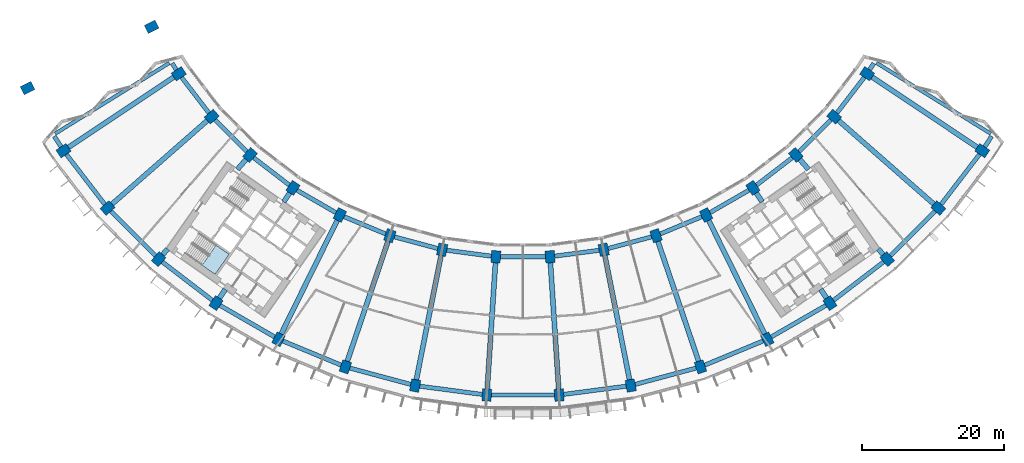
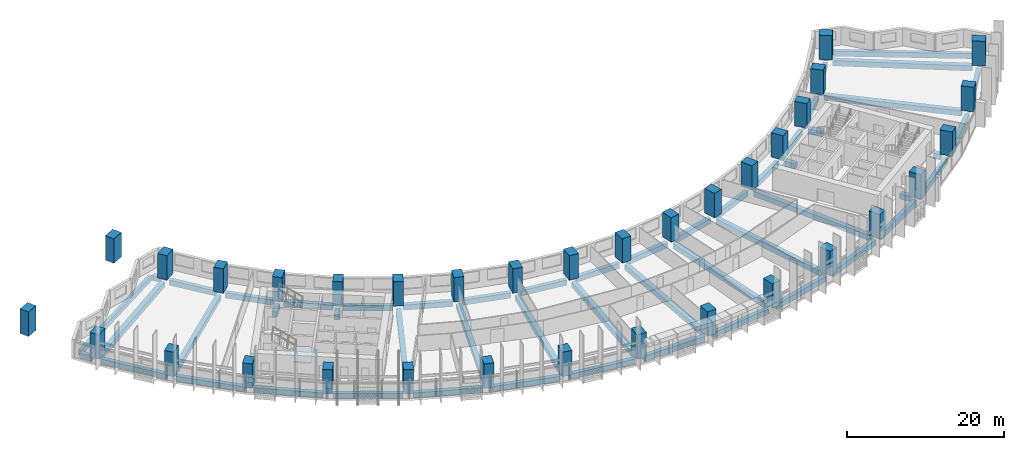
# One storey, part 1 of 32: 56 beams, 34 columns, 1 slab, 1 element without a shape of its own.
"""IFC4 building model written with IfcOpenShell, lengths in metres."""

import ifcopenshell
import ifcopenshell.guid

model = None  # the IFC model being written
_history = None  # IfcOwnerHistory: only IFC2X3 demands one
_inside = {}  # id of a spatial element -> (the spatial element, [elements in it])
_under = {}  # id of a project, library or spatial element -> (it, [spatial elements below it])
_declared = {}  # id of a project -> (the project, [libraries it declares])
_typed = {}  # id of a type object -> (the type object, [elements of that type])
_made_of = {}  # id of a material, layer set ... -> (it, [elements and type objects made of it])


def new_model(schema):
    """Start an empty IFC model of exactly this schema.

    Asked for "IFC4X3", IfcOpenShell would pick the latest addendum, in which some entities
    have other attributes; the version numbers below select the first issue.
    IFC2X3 requires an IfcOwnerHistory on every rooted entity: one is made here for all.
    """
    global model, _history
    if schema == "IFC4X3":
        model = ifcopenshell.file(schema_version=(4, 3, 0, 0))
    else:
        model = ifcopenshell.file(schema=schema)
    _inside.clear()
    _under.clear()
    _declared.clear()
    _typed.clear()
    _made_of.clear()
    _history = None
    if model.schema == "IFC2X3":
        org = make("IfcOrganization", Name="unknown")
        user = make(
            "IfcPersonAndOrganization",
            ThePerson=make("IfcPerson", FamilyName="unknown"),
            TheOrganization=org,
        )
        app = make(
            "IfcApplication",
            ApplicationDeveloper=org,
            Version="unknown",
            ApplicationFullName="unknown",
            ApplicationIdentifier="unknown",
        )
        _history = make(
            "IfcOwnerHistory",
            OwningUser=user,
            OwningApplication=app,
            ChangeAction="ADDED",
            CreationDate=0,
        )
    return model


def make(cls, **values):
    """One entity of the class cls with the attributes given. An attribute that is None is left unset."""
    return model.create_entity(
        cls, **{name: value for name, value in values.items() if value is not None}
    )


def rooted(cls, **values):
    """An entity with a GlobalId (a new one), such as an element, a storey or a relation."""
    return make(cls, GlobalId=ifcopenshell.guid.new(), OwnerHistory=_history, **values)


def si_unit(unit_type, name, prefix=None):
    """IfcSIUnit, for example si_unit("LENGTHUNIT", "METRE", prefix="MILLI")."""
    return make("IfcSIUnit", UnitType=unit_type, Prefix=prefix, Name=name)


def assignment(units):
    """IfcUnitAssignment: the units of a project."""
    return None if units is None else make("IfcUnitAssignment", Units=units)


def point(xyz):
    """IfcCartesianPoint."""
    return None if xyz is None else make("IfcCartesianPoint", Coordinates=xyz)


def direction(xyz):
    """IfcDirection."""
    return None if xyz is None else make("IfcDirection", DirectionRatios=xyz)


def frame(location, z_axis=None, x_axis=None):
    """IfcAxis2Placement3D, a coordinate frame: its origin and axes. An axis left out is left unset."""
    return make(
        "IfcAxis2Placement3D",
        Location=point(location),
        Axis=direction(z_axis),
        RefDirection=direction(x_axis),
    )


def frame_2d(location, x_axis=None):
    """IfcAxis2Placement2D, a coordinate frame in the plane: its origin and x axis."""
    return make(
        "IfcAxis2Placement2D", Location=point(location), RefDirection=direction(x_axis)
    )


def origin():
    """The frame at (0, 0, 0) with its axes left unset."""
    return frame((0.0, 0.0, 0.0))


def origin_2d():
    """The frame at (0, 0) in the plane with its x axis left unset."""
    return frame_2d((0.0, 0.0))


def place(relative_to, where):
    """IfcLocalPlacement: puts the frame where relative to a parent placement (None: the world)."""
    return make(
        "IfcLocalPlacement", PlacementRelTo=relative_to, RelativePlacement=where
    )


def context(
    kind, dimensions, precision=None, world=None, true_north=None, identifier=None
):
    """IfcGeometricRepresentationContext, for example the 3D "Model" context."""
    return make(
        "IfcGeometricRepresentationContext",
        ContextIdentifier=identifier,
        ContextType=kind,
        CoordinateSpaceDimension=dimensions,
        Precision=precision,
        WorldCoordinateSystem=world,
        TrueNorth=true_north,
    )


def subcontext(parent, identifier, kind, view, scale=None):
    """IfcGeometricRepresentationSubContext, for example "Body" below "Model"."""
    return make(
        "IfcGeometricRepresentationSubContext",
        ContextIdentifier=identifier,
        ContextType=kind,
        ParentContext=parent,
        TargetScale=scale,
        TargetView=view,
    )


def project(units=None, contexts=None):
    """IfcProject with its units and contexts."""
    return rooted(
        "IfcProject",
        Name="project",
        RepresentationContexts=contexts,
        UnitsInContext=assignment(units),
    )


def spatial(cls, under=None, at=None, **own):
    """A site, building, storey or space (cls), placed at a placement, below another one or the project."""
    s = rooted(cls, ObjectPlacement=at, **own)
    if under is not None:
        _under.setdefault(under.id(), (under, []))[1].append(s)
    return s


def polyline(points):
    """IfcPolyline through the points."""
    return make("IfcPolyline", Points=[point(p) for p in points])


def profile(cls, at=None, kind="AREA", **sizes):
    """A parametric profile (cls). Its sizes go by their IFC names, for example OverallWidth=200.0."""
    return make(cls, ProfileType=kind, Position=at, **sizes)


def rectangle(**sizes):
    """IfcRectangleProfileDef."""
    return profile("IfcRectangleProfileDef", **sizes)


def outline(outer, holes=None, kind="AREA"):
    """IfcArbitraryClosedProfileDef: a profile drawn as a closed curve; with holes, ...WithVoids."""
    if holes is None:
        return make("IfcArbitraryClosedProfileDef", ProfileType=kind, OuterCurve=outer)
    return make(
        "IfcArbitraryProfileDefWithVoids",
        ProfileType=kind,
        OuterCurve=outer,
        InnerCurves=holes,
    )


def extrude(swept, where, along, depth):
    """IfcExtrudedAreaSolid: the profile swept, set in the frame where, extruded along a direction by depth."""
    return make(
        "IfcExtrudedAreaSolid",
        SweptArea=swept,
        Position=where,
        ExtrudedDirection=direction(along),
        Depth=depth,
    )


def shape(context_of_items, identifier, shape_type, items):
    """IfcShapeRepresentation: the items that make up one representation, for example the "Body"."""
    return make(
        "IfcShapeRepresentation",
        ContextOfItems=context_of_items,
        RepresentationIdentifier=identifier,
        RepresentationType=shape_type,
        Items=items,
    )


def material(Name=None, Category=None):
    """IfcMaterial."""
    return make("IfcMaterial", Name=Name, Category=Category)


def layer(
    of_material, thickness, ventilated=None, Name=None, Category=None, Priority=None
):
    """IfcMaterialLayer: one layer of a wall or slab, of a material (None: an air gap)."""
    return make(
        "IfcMaterialLayer",
        Material=of_material,
        LayerThickness=thickness,
        IsVentilated=ventilated,
        Name=Name,
        Category=Category,
        Priority=Priority,
    )


def layer_set(layers, Name=None):
    """IfcMaterialLayerSet."""
    return make("IfcMaterialLayerSet", MaterialLayers=layers, LayerSetName=Name)


def material_profile(
    of_material, cross_section, Name=None, Category=None, Priority=None
):
    """IfcMaterialProfile: a cross section and its material."""
    return make(
        "IfcMaterialProfile",
        Name=Name,
        Material=of_material,
        Profile=cross_section,
        Priority=Priority,
        Category=Category,
    )


def profile_set(profiles, Name=None, composite=None):
    """IfcMaterialProfileSet."""
    return make(
        "IfcMaterialProfileSet",
        Name=Name,
        MaterialProfiles=profiles,
        CompositeProfile=composite,
    )


def made_of(thing, what):
    """Note that an element or type object is made of a material, layer set ...; save() writes the relation."""
    if what is not None:
        _made_of.setdefault(what.id(), (what, []))[1].append(thing)
    return thing


def type_object(cls, material=None, **own):
    """A type object (cls), such as IfcWallType, which elements share."""
    return made_of(rooted(cls, **own), material)


def element(
    cls,
    number,
    at=None,
    inside=None,
    cuts=None,
    type_object=None,
    material=None,
    context=None,
    identifier="Body",
    shape_type=None,
    held_by="IfcProductDefinitionShape",
    body=None,
    shapes=None,
    **own,
):
    """One element of the class cls, such as IfcWall. Its Tag is "e" and its number.

    at: its placement. inside: the storey or other place that contains it. cuts: it is an
    opening in that element (IfcRelVoidsElement). A single representation is given by context,
    identifier, shape_type and body (its items); several are given by shapes. held_by: the class
    of the entity that holds the representations. save() writes the other relations.
    """
    e = rooted(cls, Tag="e%d" % number, ObjectPlacement=at, **own)
    if body is not None:
        shapes = [shape(context, identifier, shape_type, body)]
    if shapes is not None:
        e.Representation = make(held_by, Representations=shapes)
    if inside is not None:
        _inside.setdefault(inside.id(), (inside, []))[1].append(e)
    if cuts is not None:
        rooted(
            "IfcRelVoidsElement", RelatingBuildingElement=cuts, RelatedOpeningElement=e
        )
    if type_object is not None:
        _typed.setdefault(type_object.id(), (type_object, []))[1].append(e)
    return made_of(e, material)


def aggregate(whole, parts):
    """IfcRelAggregates: a whole, such as a stair, and the parts it consists of."""
    return rooted("IfcRelAggregates", RelatingObject=whole, RelatedObjects=parts)


def save(model, path):
    """Write the relations noted so far, then the file.

    IfcRelAggregates (storeys below a building ...), IfcRelContainedInSpatialStructure (elements
    in a storey), IfcRelDefinesByType, IfcRelAssociatesMaterial and IfcRelDeclares: one each for
    every whole, place, type object, material and project.
    """
    for whole, parts in _under.values():
        aggregate(whole, parts)
    for where, things in _inside.values():
        rooted(
            "IfcRelContainedInSpatialStructure",
            RelatedElements=things,
            RelatingStructure=where,
        )
    for kind, things in _typed.values():
        rooted("IfcRelDefinesByType", RelatedObjects=things, RelatingType=kind)
    for what, things in _made_of.values():
        rooted("IfcRelAssociatesMaterial", RelatedObjects=things, RelatingMaterial=what)
    for by, libraries in _declared.values():
        rooted("IfcRelDeclares", RelatingContext=by, RelatedDefinitions=libraries)
    model.write(path)


model = new_model("IFC4")

# Units and contexts
model_context = context("Model", 3, precision=1e-05, world=origin(), true_north=direction((0.0, 1.0)))
body_context = subcontext(model_context, "Body", "Model", "MODEL_VIEW")
ifc_project = project(units=[si_unit("LENGTHUNIT", "METRE"), si_unit("AREAUNIT", "SQUARE_METRE"), si_unit("VOLUMEUNIT", "CUBIC_METRE"), si_unit("PLANEANGLEUNIT", "RADIAN"), si_unit("MASSUNIT", "GRAM", prefix="KILO")], contexts=[model_context])

# Site, building, storey
site_placement = place(None, origin())
site = spatial("IfcSite", under=ifc_project, at=site_placement, CompositionType="ELEMENT")
building_placement = place(site_placement, origin())
building = spatial("IfcBuilding", under=site, at=building_placement, Name="Qamariyya Broadcast Tower", CompositionType="ELEMENT")
storey_placement = place(building_placement, frame((0.0, 0.0, 63.300048828125)))
storey = spatial("IfcBuildingStorey", under=building, at=storey_placement, Name="L12", CompositionType="ELEMENT", Elevation=63.300048828125)

# Columns
ifc_material_1 = material(Name="Concrete C70/85", Category="concrete")
ifc_material_profile_1 = material_profile(ifc_material_1, rectangle(XDim=1.300048828125, YDim=1.699951171875, at=origin_2d()))
ifc_profile_set_1 = profile_set([ifc_material_profile_1], Name="Concrete C70/85")
column_type = type_object("IfcColumnType", Name="RC column 1300 x 1700 C70/85", PredefinedType="COLUMN", material=ifc_profile_set_1)
for number, where, z_axis, x_axis, name in (
    (1, (-48.43310546875, -32.362060546875, 0.0), (0.0, 0.0, 1.0), (0.55557023302, -0.831469612303, 0.0), "Column C5 L12 B-R03"),
    (2, (-64.646728515625, -43.195556640625, 0.0), (0.0, 0.0, 1.0), (0.55557023302, -0.831469612303, 0.0), "Column C5 L12 C-R03"),
    (3, (-43.794677734375, -38.406982421875, 0.0), (0.0, 0.0, 1.0), (0.6593458151, -0.751839807479, 0.0), "Column C5 L12 B-R04"),
    (4, (-58.45556640625, -51.26416015625, 0.0), (0.0, 0.0, 1.0), (0.6593458151, -0.751839807479, 0.0), "Column C5 L12 C-R04"),
    (5, (-38.406982421875, -43.794677734375, 0.0), (0.0, 0.0, 1.0), (0.751839807479, -0.6593458151, 0.0), "Column C5 L12 B-R05"),
    (6, (-51.26416015625, -58.45556640625, 0.0), (0.0, 0.0, 1.0), (0.751839807479, -0.6593458151, 0.0), "Column C5 L12 C-R05"),
    (7, (-32.362060546875, -48.43310546875, 0.0), (0.0, 0.0, 1.0), (0.831469612303, -0.55557023302, 0.0), "Column C5 L12 B-R06"),
    (8, (-43.195556640625, -64.646728515625, 0.0), (0.0, 0.0, 1.0), (0.831469612303, -0.55557023302, 0.0), "Column C5 L12 C-R06"),
    (9, (-25.763427734375, -52.242919921875, 0.0), (0.0, 0.0, 1.0), (0.896872741533, -0.442288690219, 0.0), "Column C5 L12 B-R07"),
    (10, (-34.387939453125, -69.73193359375, 0.0), (0.0, 0.0, 1.0), (0.896872741533, -0.442288690219, 0.0), "Column C5 L12 C-R07"),
    (11, (-18.723876953125, -55.15869140625, 0.0), (0.0, 0.0, 1.0), (0.946930129495, -0.321439465303, 0.0), "Column C5 L12 B-R08"),
    (12, (-24.991943359375, -73.623779296875, 0.0), (0.0, 0.0, 1.0), (0.946930129495, -0.321439465303, 0.0), "Column C5 L12 C-R08"),
    (13, (-11.364013671875, -57.130859375, 0.0), (0.0, 0.0, 1.0), (0.980785280403, -0.195090322016, 0.0), "Column C5 L12 B-R09"),
    (14, (-15.168212890625, -76.256103515625, 0.0), (0.0, 0.0, 1.0), (0.980785280403, -0.195090322016, 0.0), "Column C5 L12 C-R09"),
    (15, (-3.809814453125, -58.125244140625, 0.0), (0.0, 0.0, 1.0), (0.997858923239, -0.06540312923, 0.0), "Column C5 L12 B-R10"),
    (16, (-5.085205078125, -77.58349609375, 0.0), (0.0, 0.0, 1.0), (0.997858923239, -0.06540312923, 0.0), "Column C5 L12 C-R10"),
    (17, (3.809814453125, -58.125244140625, 0.0), (0.0, 0.0, 1.0), (0.997858923239, 0.06540312923, 0.0), "Column C5 L12 B-R11"),
    (18, (5.085205078125, -77.58349609375, 0.0), (0.0, 0.0, 1.0), (0.997858923239, 0.06540312923, 0.0), "Column C5 L12 C-R11"),
    (19, (11.364013671875, -57.130859375, 0.0), (0.0, 0.0, 1.0), (0.980785280403, 0.195090322016, 0.0), "Column C5 L12 B-R12"),
    (20, (15.168212890625, -76.256103515625, 0.0), (0.0, 0.0, 1.0), (0.980785280403, 0.195090322016, 0.0), "Column C5 L12 C-R12"),
    (21, (18.723876953125, -55.15869140625, 0.0), (0.0, 0.0, 1.0), (0.946930129495, 0.321439465303, 0.0), "Column C5 L12 B-R13"),
    (22, (24.991943359375, -73.623779296875, 0.0), (0.0, 0.0, 1.0), (0.946930129495, 0.321439465303, 0.0), "Column C5 L12 C-R13"),
    (23, (25.763427734375, -52.242919921875, 0.0), (0.0, 0.0, 1.0), (0.896872741533, 0.442288690219, 0.0), "Column C5 L12 B-R14"),
    (24, (34.387939453125, -69.73193359375, 0.0), (0.0, 0.0, 1.0), (0.896872741533, 0.442288690219, 0.0), "Column C5 L12 C-R14"),
    (25, (32.362060546875, -48.43310546875, 0.0), (0.0, 0.0, 1.0), (0.831469612303, 0.55557023302, 0.0), "Column C5 L12 B-R15"),
    (26, (43.195556640625, -64.646728515625, 0.0), (0.0, 0.0, 1.0), (0.831469612303, 0.55557023302, 0.0), "Column C5 L12 C-R15"),
    (27, (38.406982421875, -43.794677734375, 0.0), (0.0, 0.0, 1.0), (0.751839807479, 0.6593458151, 0.0), "Column C5 L12 B-R16"),
    (28, (51.26416015625, -58.45556640625, 0.0), (0.0, 0.0, 1.0), (0.751839807479, 0.6593458151, 0.0), "Column C5 L12 C-R16"),
    (29, (43.794677734375, -38.406982421875, 0.0), (0.0, 0.0, 1.0), (0.6593458151, 0.751839807479, 0.0), "Column C5 L12 B-R17"),
    (30, (58.45556640625, -51.26416015625, 0.0), (0.0, 0.0, 1.0), (0.6593458151, 0.751839807479, 0.0), "Column C5 L12 C-R17"),
    (31, (48.43310546875, -32.362060546875, 0.0), (0.0, 0.0, 1.0), (0.55557023302, 0.831469612303, 0.0), "Column C5 L12 B-R18"),
    (32, (64.646728515625, -43.195556640625, 0.0), (0.0, 0.0, 1.0), (0.55557023302, 0.831469612303, 0.0), "Column C5 L12 C-R18"),
    (33, (-52.242919921875, -25.763427734375, 0.0), (0.0, 0.0, 1.0), (0.442288690219, -0.896872741533, 0.0), "Column C5 L12 B-R02"),
    (34, (-69.73193359375, -34.387939453125, 0.0), (0.0, 0.0, 1.0), (0.442288690219, -0.896872741533, 0.0), "Column C5 L12 C-R02"),
):
    element("IfcColumn", number, at=place(storey_placement, frame(where, z_axis=z_axis, x_axis=x_axis)), inside=storey, type_object=column_type, Name=name, PredefinedType="COLUMN", context=body_context, shape_type="SweptSolid", body=[
        extrude(rectangle(XDim=1.300048828125, YDim=1.699951171875, at=origin_2d()), origin(), (0.0, 0.0, 1.0), 3.800048828125),
    ])

# Beams
ifc_material_2 = material(Name="Concrete C50/60", Category="concrete")
ifc_material_profile_2 = material_profile(ifc_material_2, rectangle(XDim=0.60009765625, YDim=0.800048828125, at=origin_2d()))
ifc_profile_set_2 = profile_set([ifc_material_profile_2], Name="Concrete C50/60")
beam_type_1 = type_object("IfcBeamType", Name="RC edge beam 600 x 800 C50/60", PredefinedType="SPANDREL", material=ifc_profile_set_2)
beam_1_placement = place(storey_placement, frame((-48.03662109375, -32.878662109375, -0.699951171875), z_axis=(0.608763348773, -0.7933518672, 0.0), x_axis=(0.7933518672, 0.608763348773, 0.0)))
element("IfcBeam", 35, at=beam_1_placement, inside=storey, type_object=beam_type_1, Name="Edge beam B6 L12 B R03-R04", PredefinedType="SPANDREL", context=body_context, shape_type="SweptSolid", body=[
    extrude(rectangle(XDim=0.60009765625, YDim=0.800048828125, at=origin_2d()), origin(), (0.0, 0.0, 1.0), 6.31689453125),
])
beam_2_placement = place(storey_placement, frame((-43.333984375, -38.867431640625, -0.699951171875), z_axis=(0.707106781187, -0.707106781187, 0.0), x_axis=(0.707106781187, 0.707106781187, 0.0)))
element("IfcBeam", 36, at=beam_2_placement, inside=storey, type_object=beam_type_1, Name="Edge beam B6 L12 B R04-R05", PredefinedType="SPANDREL", context=body_context, shape_type="SweptSolid", body=[
    extrude(rectangle(XDim=0.60009765625, YDim=0.800048828125, at=origin_2d()), origin(), (0.0, 0.0, 1.0), 6.316650390625),
])
for number, where, z_axis, x_axis, name in (
    (37, (-37.89013671875, -44.191162109375, -0.699951171875), (0.7933518672, -0.608763348773, 0.0), (0.608763348773, 0.7933518672, 0.0), "Edge beam B6 L12 B R05-R06"),
    (38, (-31.7978515625, -48.7587890625, -0.699951171875), (0.866020173512, -0.500009058987, 0.0), (0.500009058987, 0.866020173512, 0.0), "Edge beam B6 L12 B R06-R07"),
):
    element("IfcBeam", number, at=place(storey_placement, frame(where, z_axis=z_axis, x_axis=x_axis)), inside=storey, type_object=beam_type_1, Name=name, PredefinedType="SPANDREL", context=body_context, shape_type="SweptSolid", body=[
        extrude(rectangle(XDim=0.60009765625, YDim=0.800048828125, at=origin_2d()), origin(), (0.0, 0.0, 1.0), 6.31689453125),
    ])
for number, where, z_axis, x_axis, name in (
    (39, (-25.16162109375, -52.4921875, -0.699951171875), (0.923884465345, -0.382671523234, 0.0), (0.382671523234, 0.923884465345, 0.0), "Edge beam B6 L12 B R07-R08"),
    (40, (-18.0947265625, -55.327392578125, -0.699951171875), (0.965931490327, -0.258797905699, 0.0), (0.258797905699, 0.965931490327, 0.0), "Edge beam B6 L12 B R08-R09"),
    (41, (-10.71826171875, -57.2158203125, -0.699951171875), (0.991445610946, -0.130520498525, 0.0), (0.130520498525, 0.991445610946, 0.0), "Edge beam B6 L12 B R09-R10"),
):
    element("IfcBeam", number, at=place(storey_placement, frame(where, z_axis=z_axis, x_axis=x_axis)), inside=storey, type_object=beam_type_1, Name=name, PredefinedType="SPANDREL", context=body_context, shape_type="SweptSolid", body=[
        extrude(rectangle(XDim=0.60009765625, YDim=0.800048828125, at=origin_2d()), origin(), (0.0, 0.0, 1.0), 6.316650390625),
    ])
beam_3_placement = place(storey_placement, frame((-3.158447265625, -58.125244140625, -0.699951171875), z_axis=(1.0, 0.0, 0.0), x_axis=(0.0, 1.0, 0.0)))
element("IfcBeam", 42, at=beam_3_placement, inside=storey, type_object=beam_type_1, Name="Edge beam B6 L12 B R10-R11", PredefinedType="SPANDREL", context=body_context, shape_type="SweptSolid", body=[
    extrude(rectangle(XDim=0.60009765625, YDim=0.800048828125, at=origin_2d()), origin(), (0.0, 0.0, 1.0), 6.31689453125),
])
for number, where, z_axis, x_axis, name in (
    (43, (4.45556640625, -58.040283203125, -0.699951171875), (0.991445610946, 0.130520498525, 0.0), (-0.130520498525, 0.991445610946, 0.0), "Edge beam B6 L12 B R11-R12"),
    (44, (11.9931640625, -56.962158203125, -0.699951171875), (0.965931490327, 0.258797905699, 0.0), (-0.258797905699, 0.965931490327, 0.0), "Edge beam B6 L12 B R12-R13"),
    (45, (19.32568359375, -54.909423828125, -0.699951171875), (0.923884465345, 0.382671523234, 0.0), (-0.382671523234, 0.923884465345, 0.0), "Edge beam B6 L12 B R13-R14"),
):
    element("IfcBeam", number, at=place(storey_placement, frame(where, z_axis=z_axis, x_axis=x_axis)), inside=storey, type_object=beam_type_1, Name=name, PredefinedType="SPANDREL", context=body_context, shape_type="SweptSolid", body=[
        extrude(rectangle(XDim=0.60009765625, YDim=0.800048828125, at=origin_2d()), origin(), (0.0, 0.0, 1.0), 6.316650390625),
    ])
for number, where, z_axis, x_axis, name in (
    (46, (26.327392578125, -51.917236328125, -0.699951171875), (0.866020173512, 0.500009058987, 0.0), (-0.500009058987, 0.866020173512, 0.0), "Edge beam B6 L12 B R14-R15"),
    (47, (32.878662109375, -48.03662109375, -0.699951171875), (0.7933518672, 0.608763348773, 0.0), (-0.608763348773, 0.7933518672, 0.0), "Edge beam B6 L12 B R15-R16"),
):
    element("IfcBeam", number, at=place(storey_placement, frame(where, z_axis=z_axis, x_axis=x_axis)), inside=storey, type_object=beam_type_1, Name=name, PredefinedType="SPANDREL", context=body_context, shape_type="SweptSolid", body=[
        extrude(rectangle(XDim=0.60009765625, YDim=0.800048828125, at=origin_2d()), origin(), (0.0, 0.0, 1.0), 6.31689453125),
    ])
beam_4_placement = place(storey_placement, frame((38.867431640625, -43.333984375, -0.699951171875), z_axis=(0.707106781187, 0.707106781187, 0.0), x_axis=(-0.707106781187, 0.707106781187, 0.0)))
element("IfcBeam", 48, at=beam_4_placement, inside=storey, type_object=beam_type_1, Name="Edge beam B6 L12 B R16-R17", PredefinedType="SPANDREL", context=body_context, shape_type="SweptSolid", body=[
    extrude(rectangle(XDim=0.60009765625, YDim=0.800048828125, at=origin_2d()), origin(), (0.0, 0.0, 1.0), 6.316650390625),
])
beam_5_placement = place(storey_placement, frame((44.191162109375, -37.89013671875, -0.699951171875), z_axis=(0.608763348773, 0.7933518672, 0.0), x_axis=(-0.7933518672, 0.608763348773, 0.0)))
element("IfcBeam", 49, at=beam_5_placement, inside=storey, type_object=beam_type_1, Name="Edge beam B6 L12 B R17-R18", PredefinedType="SPANDREL", context=body_context, shape_type="SweptSolid", body=[
    extrude(rectangle(XDim=0.60009765625, YDim=0.800048828125, at=origin_2d()), origin(), (0.0, 0.0, 1.0), 6.31689453125),
])
beam_6_placement = place(storey_placement, frame((-64.250244140625, -43.71240234375, -0.699951171875), z_axis=(0.608769622928, -0.793347052809, 0.0), x_axis=(0.793347052809, 0.608769622928, 0.0)))
element("IfcBeam", 50, at=beam_6_placement, inside=storey, type_object=beam_type_1, Name="Edge beam B6 L12 C R03-R04", PredefinedType="SPANDREL", context=body_context, shape_type="SweptSolid", body=[
    extrude(rectangle(XDim=0.60009765625, YDim=0.800048828125, at=origin_2d()), origin(), (0.0, 0.0, 1.0), 8.867431640625),
])
beam_7_placement = place(storey_placement, frame((-57.994873046875, -51.724853515625, -0.699951171875), z_axis=(0.707106781187, -0.707106781187, 0.0), x_axis=(0.707106781187, 0.707106781187, 0.0)))
element("IfcBeam", 51, at=beam_7_placement, inside=storey, type_object=beam_type_1, Name="Edge beam B6 L12 C R04-R05", PredefinedType="SPANDREL", context=body_context, shape_type="SweptSolid", body=[
    extrude(rectangle(XDim=0.60009765625, YDim=0.800048828125, at=origin_2d()), origin(), (0.0, 0.0, 1.0), 8.8671875),
])
beam_8_placement = place(storey_placement, frame((-50.747314453125, -58.85205078125, -0.699951171875), z_axis=(0.793347052809, -0.608769622928, 0.0), x_axis=(0.608769622928, 0.793347052809, 0.0)))
element("IfcBeam", 52, at=beam_8_placement, inside=storey, type_object=beam_type_1, Name="Edge beam B6 L12 C R05-R06", PredefinedType="SPANDREL", context=body_context, shape_type="SweptSolid", body=[
    extrude(rectangle(XDim=0.60009765625, YDim=0.800048828125, at=origin_2d()), origin(), (0.0, 0.0, 1.0), 8.867431640625),
])
beam_9_placement = place(storey_placement, frame((-42.63134765625, -64.972412109375, -0.699951171875), z_axis=(0.866013187848, -0.500021158025, 0.0), x_axis=(0.500021158025, 0.866013187848, 0.0)))
element("IfcBeam", 53, at=beam_9_placement, inside=storey, type_object=beam_type_1, Name="Edge beam B6 L12 C R06-R07", PredefinedType="SPANDREL", context=body_context, shape_type="SweptSolid", body=[
    extrude(rectangle(XDim=0.60009765625, YDim=0.800048828125, at=origin_2d()), origin(), (0.0, 0.0, 1.0), 8.8671875),
])
for number, where, z_axis, x_axis, name in (
    (54, (-33.7861328125, -69.981201171875, -0.699951171875), (0.923882942367, -0.382675200142, 0.0), (0.382675200142, 0.923882942367, 0.0), "Edge beam B6 L12 C R07-R08"),
    (55, (-24.36279296875, -73.79248046875, -0.699951171875), (0.965930847021, -0.258800306749, 0.0), (0.258800306749, 0.965930847021, 0.0), "Edge beam B6 L12 C R08-R09"),
    (56, (-14.5224609375, -76.341064453125, -0.699951171875), (0.991444171706, -0.13053143066, 0.0), (0.13053143066, 0.991444171706, 0.0), "Edge beam B6 L12 C R09-R10"),
):
    element("IfcBeam", number, at=place(storey_placement, frame(where, z_axis=z_axis, x_axis=x_axis)), inside=storey, type_object=beam_type_1, Name=name, PredefinedType="SPANDREL", context=body_context, shape_type="SweptSolid", body=[
        extrude(rectangle(XDim=0.60009765625, YDim=0.800048828125, at=origin_2d()), origin(), (0.0, 0.0, 1.0), 8.867431640625),
    ])
beam_10_placement = place(storey_placement, frame((-4.43359375, -77.58349609375, -0.699951171875), z_axis=(1.0, 0.0, 0.0), x_axis=(0.0, 1.0, 0.0)))
element("IfcBeam", 57, at=beam_10_placement, inside=storey, type_object=beam_type_1, Name="Edge beam B6 L12 C R10-R11", PredefinedType="SPANDREL", context=body_context, shape_type="SweptSolid", body=[
    extrude(rectangle(XDim=0.60009765625, YDim=0.800048828125, at=origin_2d()), origin(), (0.0, 0.0, 1.0), 8.8671875),
])
for number, where, z_axis, x_axis, name in (
    (58, (5.73095703125, -77.49853515625, -0.699951171875), (0.991444171706, 0.13053143066, 0.0), (-0.13053143066, 0.991444171706, 0.0), "Edge beam B6 L12 C R11-R12"),
    (59, (15.79736328125, -76.08740234375, -0.699951171875), (0.965930847021, 0.258800306749, 0.0), (-0.258800306749, 0.965930847021, 0.0), "Edge beam B6 L12 C R12-R13"),
    (60, (25.59375, -73.37451171875, -0.699951171875), (0.923882942367, 0.382675200142, 0.0), (-0.382675200142, 0.923882942367, 0.0), "Edge beam B6 L12 C R13-R14"),
):
    element("IfcBeam", number, at=place(storey_placement, frame(where, z_axis=z_axis, x_axis=x_axis)), inside=storey, type_object=beam_type_1, Name=name, PredefinedType="SPANDREL", context=body_context, shape_type="SweptSolid", body=[
        extrude(rectangle(XDim=0.60009765625, YDim=0.800048828125, at=origin_2d()), origin(), (0.0, 0.0, 1.0), 8.867431640625),
    ])
beam_11_placement = place(storey_placement, frame((34.9521484375, -69.40625, -0.699951171875), z_axis=(0.866013187848, 0.500021158025, 0.0), x_axis=(-0.500021158025, 0.866013187848, 0.0)))
element("IfcBeam", 61, at=beam_11_placement, inside=storey, type_object=beam_type_1, Name="Edge beam B6 L12 C R14-R15", PredefinedType="SPANDREL", context=body_context, shape_type="SweptSolid", body=[
    extrude(rectangle(XDim=0.60009765625, YDim=0.800048828125, at=origin_2d()), origin(), (0.0, 0.0, 1.0), 8.8671875),
])
beam_12_placement = place(storey_placement, frame((43.71240234375, -64.250244140625, -0.699951171875), z_axis=(0.793347052809, 0.608769622928, 0.0), x_axis=(-0.608769622928, 0.793347052809, 0.0)))
element("IfcBeam", 62, at=beam_12_placement, inside=storey, type_object=beam_type_1, Name="Edge beam B6 L12 C R15-R16", PredefinedType="SPANDREL", context=body_context, shape_type="SweptSolid", body=[
    extrude(rectangle(XDim=0.60009765625, YDim=0.800048828125, at=origin_2d()), origin(), (0.0, 0.0, 1.0), 8.867431640625),
])
beam_13_placement = place(storey_placement, frame((51.724853515625, -57.994873046875, -0.699951171875), z_axis=(0.707106781187, 0.707106781187, 0.0), x_axis=(-0.707106781187, 0.707106781187, 0.0)))
element("IfcBeam", 63, at=beam_13_placement, inside=storey, type_object=beam_type_1, Name="Edge beam B6 L12 C R16-R17", PredefinedType="SPANDREL", context=body_context, shape_type="SweptSolid", body=[
    extrude(rectangle(XDim=0.60009765625, YDim=0.800048828125, at=origin_2d()), origin(), (0.0, 0.0, 1.0), 8.8671875),
])
beam_14_placement = place(storey_placement, frame((58.85205078125, -50.747314453125, -0.699951171875), z_axis=(0.608769622928, 0.793347052809, 0.0), x_axis=(-0.793347052809, 0.608769622928, 0.0)))
element("IfcBeam", 64, at=beam_14_placement, inside=storey, type_object=beam_type_1, Name="Edge beam B6 L12 C R17-R18", PredefinedType="SPANDREL", context=body_context, shape_type="SweptSolid", body=[
    extrude(rectangle(XDim=0.60009765625, YDim=0.800048828125, at=origin_2d()), origin(), (0.0, 0.0, 1.0), 8.867431640625),
])
ifc_material_profile_3 = material_profile(ifc_material_2, rectangle(XDim=0.60009765625, YDim=0.800048828125, at=origin_2d()))
ifc_profile_set_3 = profile_set([ifc_material_profile_3], Name="Concrete C50/60")
beam_type_2 = type_object("IfcBeamType", Name="RC horn beam 600 x 800 C50/60", PredefinedType="BEAM", material=ifc_profile_set_3)
beam_15_placement = place(storey_placement, frame((-48.784912109375, -31.8154296875, -0.699951171875), z_axis=(-0.541356930223, 0.840792884187, 0.0), x_axis=(-0.840792884187, -0.541356930223, 0.0)))
element("IfcBeam", 65, at=beam_15_placement, inside=storey, type_object=beam_type_2, Name="Horn beam B7 L12 W B-R03", PredefinedType="BEAM", context=body_context, shape_type="SweptSolid", body=[
    extrude(rectangle(XDim=0.60009765625, YDim=0.800048828125, at=origin_2d()), origin(), (0.0, 0.0, 1.0), 1.0908203125),
])
beam_16_placement = place(storey_placement, frame((-64.99853515625, -42.64892578125, -0.699951171875), z_axis=(-0.541291153775, 0.840835231686, 0.0), x_axis=(-0.840835231686, -0.541291153775, 0.0)))
element("IfcBeam", 66, at=beam_16_placement, inside=storey, type_object=beam_type_2, Name="Horn beam B7 L12 W C-R03", PredefinedType="BEAM", context=body_context, shape_type="SweptSolid", body=[
    extrude(rectangle(XDim=0.60009765625, YDim=0.800048828125, at=origin_2d()), origin(), (0.0, 0.0, 1.0), 1.75732421875),
])
beam_17_placement = place(storey_placement, frame((48.784912109375, -31.8154296875, -0.699951171875), z_axis=(0.541356930223, 0.840792884187, 0.0), x_axis=(-0.840792884187, 0.541356930223, 0.0)))
element("IfcBeam", 67, at=beam_17_placement, inside=storey, type_object=beam_type_2, Name="Horn beam B7 L12 E B-R18", PredefinedType="BEAM", context=body_context, shape_type="SweptSolid", body=[
    extrude(rectangle(XDim=0.60009765625, YDim=0.800048828125, at=origin_2d()), origin(), (0.0, 0.0, 1.0), 1.0908203125),
])
beam_18_placement = place(storey_placement, frame((64.99853515625, -42.64892578125, -0.699951171875), z_axis=(0.541291153775, 0.840835231686, 0.0), x_axis=(-0.840835231686, 0.541291153775, 0.0)))
element("IfcBeam", 68, at=beam_18_placement, inside=storey, type_object=beam_type_2, Name="Horn beam B7 L12 E C-R18", PredefinedType="BEAM", context=body_context, shape_type="SweptSolid", body=[
    extrude(rectangle(XDim=0.60009765625, YDim=0.800048828125, at=origin_2d()), origin(), (0.0, 0.0, 1.0), 1.75732421875),
])
ifc_material_profile_4 = material_profile(ifc_material_2, rectangle(XDim=0.5, YDim=0.800048828125, at=origin_2d()))
ifc_profile_set_4 = profile_set([ifc_material_profile_4], Name="Concrete C50/60")
beam_type_3 = type_object("IfcBeamType", Name="RC horn cap beam 500 x 800 C50/60", PredefinedType="BEAM", material=ifc_profile_set_4)
for number, where, z_axis, x_axis, name in (
    (69, (-49.765625, -30.845947265625, -0.699951171875), (-0.84996632089, -0.526837027318, 0.0), (0.526837027318, -0.84996632089, 0.0), "Horn cap beam B8 L12 W B-C"),
    (70, (49.765625, -30.845947265625, -0.699951171875), (0.84996632089, -0.526837027318, 0.0), (0.526837027318, 0.84996632089, 0.0), "Horn cap beam B8 L12 E B-C"),
):
    element("IfcBeam", number, at=place(storey_placement, frame(where, z_axis=z_axis, x_axis=x_axis)), inside=storey, type_object=beam_type_3, Name=name, PredefinedType="BEAM", context=body_context, shape_type="SweptSolid", body=[
        extrude(rectangle(XDim=0.5, YDim=0.800048828125, at=origin_2d()), origin(), (0.0, 0.0, 1.0), 18.900146484375),
    ])
ifc_material_profile_5 = material_profile(ifc_material_2, rectangle(XDim=0.699951171875, YDim=0.800048828125, at=origin_2d()))
ifc_profile_set_5 = profile_set([ifc_material_profile_5], Name="Concrete C50/60")
beam_type_4 = type_object("IfcBeamType", Name="RC radial beam 700 x 800 C50/60", PredefinedType="BEAM", material=ifc_profile_set_5)
for number, where, z_axis, x_axis, name in (
    (71, (-49.139892578125, -32.834228515625, -0.699951171875), (-0.831467440413, -0.555573483469, 0.0), (0.555573483469, -0.831467440413, 0.0), "Radial beam B5 L12 R03 B-C"),
    (72, (-44.433837890625, -38.96728515625, -0.699951171875), (-0.751836168626, -0.659349964393, 0.0), (0.659349964393, -0.751836168626, 0.0), "Radial beam B5 L12 R04 B-C"),
):
    element("IfcBeam", number, at=place(storey_placement, frame(where, z_axis=z_axis, x_axis=x_axis)), inside=storey, type_object=beam_type_4, Name=name, PredefinedType="BEAM", context=body_context, shape_type="SweptSolid", body=[
        extrude(rectangle(XDim=0.699951171875, YDim=0.800048828125, at=origin_2d()), origin(), (0.0, 0.0, 1.0), 17.7998046875),
    ])
beam_19_placement = place(storey_placement, frame((-38.96728515625, -44.433837890625, -0.699951171875), z_axis=(-0.659385827408, -0.751804715743, 0.0), x_axis=(0.751804715743, -0.659385827408, 0.0)))
element("IfcBeam", 73, at=beam_19_placement, inside=storey, type_object=beam_type_4, Name="Radial beam B5 L12 R05 B-C", PredefinedType="BEAM", context=body_context, shape_type="SweptSolid", body=[
    extrude(rectangle(XDim=0.699951171875, YDim=0.800048828125, at=origin_2d()), origin(), (0.0, 0.0, 1.0), 1.8623046875),
])
beam_20_placement = place(storey_placement, frame((-50.011962890625, -57.027587890625, -0.699951171875), z_axis=(-0.659278599496, -0.751898748667, 0.0), x_axis=(0.751898748667, -0.659278599496, 0.0)))
element("IfcBeam", 74, at=beam_20_placement, inside=storey, type_object=beam_type_4, Name="Radial beam B5 L12 R05 B-C", PredefinedType="BEAM", context=body_context, shape_type="SweptSolid", body=[
    extrude(rectangle(XDim=0.699951171875, YDim=0.800048828125, at=origin_2d()), origin(), (0.0, 0.0, 1.0), 1.049072265625),
])
beam_21_placement = place(storey_placement, frame((-32.834228515625, -49.139892578125, -0.699951171875), z_axis=(-0.555518362002, -0.831504269068, 0.0), x_axis=(0.831504269068, -0.555518362002, 0.0)))
element("IfcBeam", 75, at=beam_21_placement, inside=storey, type_object=beam_type_4, Name="Radial beam B5 L12 R06 B-C", PredefinedType="BEAM", context=body_context, shape_type="SweptSolid", body=[
    extrude(rectangle(XDim=0.699951171875, YDim=0.800048828125, at=origin_2d()), origin(), (0.0, 0.0, 1.0), 1.514404296875),
])
beam_22_placement = place(storey_placement, frame((-41.89990234375, -62.707763671875, -0.699951171875), z_axis=(-0.555650227013, -0.831416156459, 0.0), x_axis=(0.831416156459, -0.555650227013, 0.0)))
element("IfcBeam", 76, at=beam_22_placement, inside=storey, type_object=beam_type_4, Name="Radial beam B5 L12 R06 B-C", PredefinedType="BEAM", context=body_context, shape_type="SweptSolid", body=[
    extrude(rectangle(XDim=0.699951171875, YDim=0.800048828125, at=origin_2d()), origin(), (0.0, 0.0, 1.0), 1.48193359375),
])
beam_23_placement = place(storey_placement, frame((-26.13916015625, -53.005126953125, -0.699951171875), z_axis=(-0.442291123934, -0.896871541353, 0.0), x_axis=(0.896871541353, -0.442291123934, 0.0)))
element("IfcBeam", 77, at=beam_23_placement, inside=storey, type_object=beam_type_4, Name="Radial beam B5 L12 R07 B-C", PredefinedType="BEAM", context=body_context, shape_type="SweptSolid", body=[
    extrude(rectangle(XDim=0.699951171875, YDim=0.800048828125, at=origin_2d()), origin(), (0.0, 0.0, 1.0), 17.800048828125),
])
beam_24_placement = place(storey_placement, frame((-18.9970703125, -55.963623046875, -0.699951171875), z_axis=(-0.321444599042, -0.94692838681, 0.0), x_axis=(0.94692838681, -0.321444599042, 0.0)))
element("IfcBeam", 78, at=beam_24_placement, inside=storey, type_object=beam_type_4, Name="Radial beam B5 L12 R08 B-C", PredefinedType="BEAM", context=body_context, shape_type="SweptSolid", body=[
    extrude(rectangle(XDim=0.699951171875, YDim=0.800048828125, at=origin_2d()), origin(), (0.0, 0.0, 1.0), 17.7998046875),
])
for number, where, z_axis, x_axis, name in (
    (79, (-11.52978515625, -57.96435546875, -0.699951171875), (-0.19509262344, -0.980784822619, 0.0), (0.980784822619, -0.19509262344, 0.0), "Radial beam B5 L12 R09 B-C"),
    (80, (-3.865234375, -58.973388671875, -0.699951171875), (-0.0654101824, -0.997858460924, 0.0), (0.997858460924, -0.0654101824, 0.0), "Radial beam B5 L12 R10 B-C"),
    (81, (3.865234375, -58.973388671875, -0.699951171875), (0.0654101824, -0.997858460924, 0.0), (0.997858460924, 0.0654101824, 0.0), "Radial beam B5 L12 R11 B-C"),
    (82, (11.52978515625, -57.96435546875, -0.699951171875), (0.19509262344, -0.980784822619, 0.0), (0.980784822619, 0.19509262344, 0.0), "Radial beam B5 L12 R12 B-C"),
):
    element("IfcBeam", number, at=place(storey_placement, frame(where, z_axis=z_axis, x_axis=x_axis)), inside=storey, type_object=beam_type_4, Name=name, PredefinedType="BEAM", context=body_context, shape_type="SweptSolid", body=[
        extrude(rectangle(XDim=0.699951171875, YDim=0.800048828125, at=origin_2d()), origin(), (0.0, 0.0, 1.0), 17.800048828125),
    ])
beam_25_placement = place(storey_placement, frame((18.9970703125, -55.963623046875, -0.699951171875), z_axis=(0.321444599042, -0.94692838681, 0.0), x_axis=(0.94692838681, 0.321444599042, 0.0)))
element("IfcBeam", 83, at=beam_25_placement, inside=storey, type_object=beam_type_4, Name="Radial beam B5 L12 R13 B-C", PredefinedType="BEAM", context=body_context, shape_type="SweptSolid", body=[
    extrude(rectangle(XDim=0.699951171875, YDim=0.800048828125, at=origin_2d()), origin(), (0.0, 0.0, 1.0), 17.7998046875),
])
beam_26_placement = place(storey_placement, frame((26.13916015625, -53.005126953125, -0.699951171875), z_axis=(0.442291123934, -0.896871541353, 0.0), x_axis=(0.896871541353, 0.442291123934, 0.0)))
element("IfcBeam", 84, at=beam_26_placement, inside=storey, type_object=beam_type_4, Name="Radial beam B5 L12 R14 B-C", PredefinedType="BEAM", context=body_context, shape_type="SweptSolid", body=[
    extrude(rectangle(XDim=0.699951171875, YDim=0.800048828125, at=origin_2d()), origin(), (0.0, 0.0, 1.0), 17.800048828125),
])
beam_27_placement = place(storey_placement, frame((32.834228515625, -49.139892578125, -0.699951171875), z_axis=(0.555518362002, -0.831504269068, 0.0), x_axis=(0.831504269068, 0.555518362002, 0.0)))
element("IfcBeam", 85, at=beam_27_placement, inside=storey, type_object=beam_type_4, Name="Radial beam B5 L12 R15 B-C", PredefinedType="BEAM", context=body_context, shape_type="SweptSolid", body=[
    extrude(rectangle(XDim=0.699951171875, YDim=0.800048828125, at=origin_2d()), origin(), (0.0, 0.0, 1.0), 1.514404296875),
])
beam_28_placement = place(storey_placement, frame((41.89990234375, -62.707763671875, -0.699951171875), z_axis=(0.555650227013, -0.831416156459, 0.0), x_axis=(0.831416156459, 0.555650227013, 0.0)))
element("IfcBeam", 86, at=beam_28_placement, inside=storey, type_object=beam_type_4, Name="Radial beam B5 L12 R15 B-C", PredefinedType="BEAM", context=body_context, shape_type="SweptSolid", body=[
    extrude(rectangle(XDim=0.699951171875, YDim=0.800048828125, at=origin_2d()), origin(), (0.0, 0.0, 1.0), 1.48193359375),
])
beam_29_placement = place(storey_placement, frame((38.96728515625, -44.433837890625, -0.699951171875), z_axis=(0.659385827408, -0.751804715743, 0.0), x_axis=(0.751804715743, 0.659385827408, 0.0)))
element("IfcBeam", 87, at=beam_29_placement, inside=storey, type_object=beam_type_4, Name="Radial beam B5 L12 R16 B-C", PredefinedType="BEAM", context=body_context, shape_type="SweptSolid", body=[
    extrude(rectangle(XDim=0.699951171875, YDim=0.800048828125, at=origin_2d()), origin(), (0.0, 0.0, 1.0), 1.8623046875),
])
beam_30_placement = place(storey_placement, frame((50.011962890625, -57.027587890625, -0.699951171875), z_axis=(0.659278599496, -0.751898748667, 0.0), x_axis=(0.751898748667, 0.659278599496, 0.0)))
element("IfcBeam", 88, at=beam_30_placement, inside=storey, type_object=beam_type_4, Name="Radial beam B5 L12 R16 B-C", PredefinedType="BEAM", context=body_context, shape_type="SweptSolid", body=[
    extrude(rectangle(XDim=0.699951171875, YDim=0.800048828125, at=origin_2d()), origin(), (0.0, 0.0, 1.0), 1.049072265625),
])
for number, where, z_axis, x_axis, name in (
    (89, (44.433837890625, -38.96728515625, -0.699951171875), (0.751836168626, -0.659349964393, 0.0), (0.659349964393, 0.751836168626, 0.0), "Radial beam B5 L12 R17 B-C"),
    (90, (49.139892578125, -32.834228515625, -0.699951171875), (0.831467440413, -0.555573483469, 0.0), (0.555573483469, 0.831467440413, 0.0), "Radial beam B5 L12 R18 B-C"),
):
    element("IfcBeam", number, at=place(storey_placement, frame(where, z_axis=z_axis, x_axis=x_axis)), inside=storey, type_object=beam_type_4, Name=name, PredefinedType="BEAM", context=body_context, shape_type="SweptSolid", body=[
        extrude(rectangle(XDim=0.699951171875, YDim=0.800048828125, at=origin_2d()), origin(), (0.0, 0.0, 1.0), 17.7998046875),
    ])

# Stair, slab
stair_type = type_object("IfcStairType", Name="Exit stair 22 risers of 173 mm", PredefinedType="HALF_TURN_STAIR", material=ifc_material_2)
stair_placement = place(storey_placement, origin())
stair = element("IfcStair", 91, at=stair_placement, inside=storey, type_object=stair_type, Name="L12 Stair W1", PredefinedType="HALF_TURN_STAIR")
ifc_layer = layer(ifc_material_2, 0.199951171875)
ifc_layer_set = layer_set([ifc_layer], Name="Stair landing")
slab_type = type_object("IfcSlabType", Name="Stair landing", PredefinedType="LANDING", material=ifc_layer_set)
slab_placement = place(storey_placement, frame((0.0, 0.0, 1.699951171875)))
slab = element("IfcSlab", 92, at=slab_placement, type_object=slab_type, Name="ST-W1 landing 1", PredefinedType="LANDING", context=body_context, shape_type="SweptSolid", body=[
    extrude(outline(polyline([(-45.169677734375, -59.319580078125), (-43.3271484375, -60.609619140625), (-41.348388671875, -57.783447265625), (-43.19091796875, -56.493408203125), (-45.169677734375, -59.319580078125)])), origin(), (0.0, 0.0, 1.0), 0.199951171875),
])
aggregate(stair, [slab])

save(model, "model.ifc")
